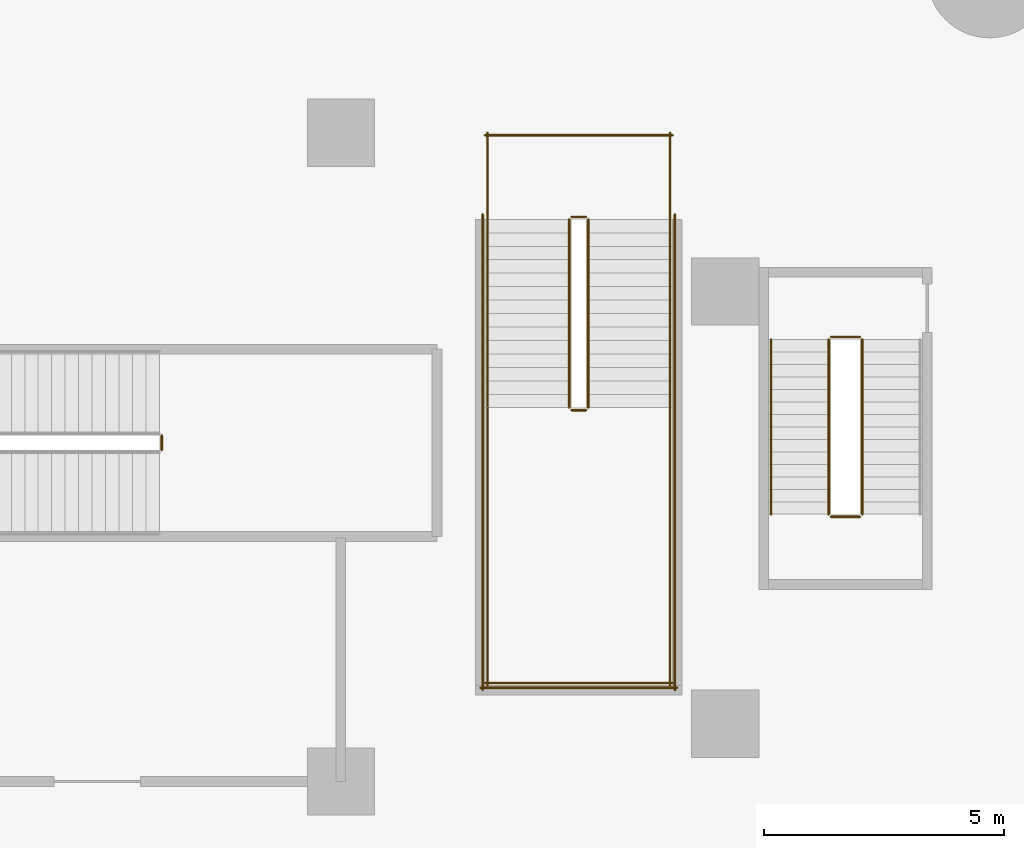
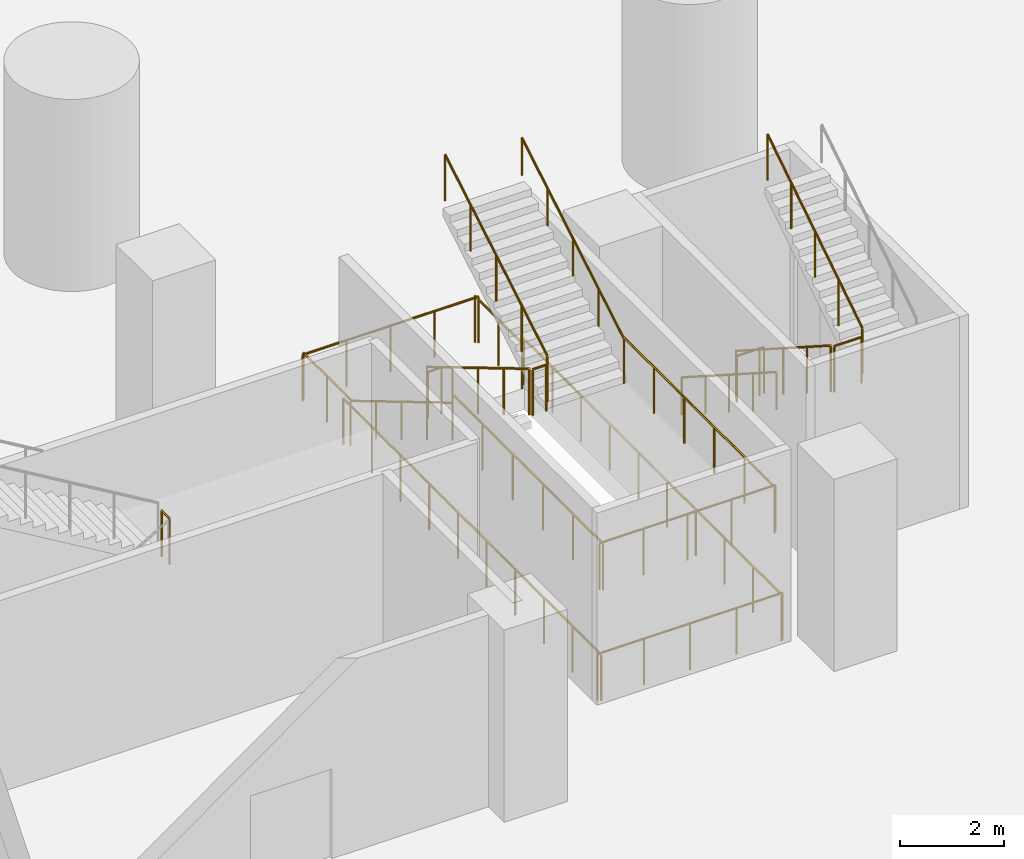
# One storey, part 35 of 44: 21 railings.
"""IFC4 building model written with IfcOpenShell, lengths in metres."""

from ifc_helpers import new_model, si_unit, direction, frame, origin, origin_2d, place, context, subcontext, project, spatial, circle, extrude, material, type_object, element, save


model = new_model("IFC4")

# Units and contexts
model_context = context("Model", 3, precision=1e-05, world=origin(), true_north=direction((0.0, 1.0)))
body_context = subcontext(model_context, "Body", "Model", "MODEL_VIEW")
ifc_project = project(units=[si_unit("LENGTHUNIT", "METRE"), si_unit("AREAUNIT", "SQUARE_METRE"), si_unit("VOLUMEUNIT", "CUBIC_METRE"), si_unit("PLANEANGLEUNIT", "RADIAN"), si_unit("MASSUNIT", "GRAM", prefix="KILO")], contexts=[model_context])

# Site, building, storey
site_placement = place(None, origin())
site = spatial("IfcSite", under=ifc_project, at=site_placement, CompositionType="ELEMENT")
building_placement = place(site_placement, origin())
building = spatial("IfcBuilding", under=site, at=building_placement, Name="Tamarind Cross Interchange Tower", CompositionType="ELEMENT")
storey_placement = place(building_placement, frame((0.0, 0.0, 15.0)))
storey = spatial("IfcBuildingStorey", under=building, at=storey_placement, Name="L02", CompositionType="ELEMENT", Elevation=15.0)

# Railings
ifc_material_1 = material(Name="Public stair guard")
railing_type_1 = type_object("IfcRailingType", Name="Public stair guard", PredefinedType="GUARDRAIL", material=ifc_material_1)
railing_1_placement = place(storey_placement, frame((-8.75, -28.800048828125, 0.166748046875)))
element("IfcRailing", 1, at=railing_1_placement, inside=storey, type_object=railing_type_1, Name="L02 PS-S stair guard 1", PredefinedType="GUARDRAIL", context=body_context, shape_type="SweptSolid", body=[
    extrude(circle(Radius=0.02392578125, at=origin_2d()), frame((0.0, 0.0, 1.076171875), z_axis=(0.0, -0.859296244711, 0.511478214419), x_axis=(1.0, 0.0, 0.0)), (0.0, 0.0, 1.0), 4.561767578125),
    extrude(circle(Radius=0.02099609375, at=origin_2d()), origin(), (0.0, 0.0, 1.0), 1.052001953125),
    extrude(circle(Radius=0.02099609375, at=origin_2d()), frame((0.0, -0.97998046875, 0.583251953125)), (0.0, 0.0, 1.0), 1.052001953125),
    extrude(circle(Radius=0.02099609375, at=origin_2d()), frame((0.0, -1.9599609375, 1.16650390625)), (0.0, 0.0, 1.0), 1.052001953125),
    extrude(circle(Radius=0.02099609375, at=origin_2d()), frame((0.0, -2.93994140625, 1.75)), (0.0, 0.0, 1.0), 1.052001953125),
    extrude(circle(Radius=0.02099609375, at=origin_2d()), frame((0.0, -3.919921875, 2.333251953125)), (0.0, 0.0, 1.0), 1.052001953125),
])
railing_2_placement = place(storey_placement, frame((-8.699951171875, -32.77001953125, 2.5)))
element("IfcRailing", 2, at=railing_2_placement, inside=storey, type_object=railing_type_1, Name="L02 PS-S stair guard 2", PredefinedType="GUARDRAIL", context=body_context, shape_type="SweptSolid", body=[
    extrude(circle(Radius=0.02392578125, at=origin_2d()), frame((0.0, 0.0, 1.076171875), z_axis=(1.0, 0.0, 0.0), x_axis=(0.0, 1.0, 0.0)), (0.0, 0.0, 1.0), 0.300048828125),
    extrude(circle(Radius=0.02099609375, at=origin_2d()), origin(), (0.0, 0.0, 1.0), 1.052001953125),
    extrude(circle(Radius=0.02099609375, at=origin_2d()), frame((0.300048828125, 0.0, 0.0)), (0.0, 0.0, 1.0), 1.052001953125),
])
for number, where, name in (
    (3, (-10.449951171875, -32.719970703125, 2.5), "L02 PS-S stair guard 3"),
    (4, (-6.64990234375, -32.719970703125, 2.5), "L02 PS-S stair guard 4"),
):
    element("IfcRailing", number, at=place(storey_placement, frame(where)), inside=storey, type_object=railing_type_1, Name=name, PredefinedType="GUARDRAIL", context=body_context, shape_type="SweptSolid", body=[
        extrude(circle(Radius=0.02392578125, at=origin_2d()), frame((0.0, 0.0, 1.076171875), z_axis=(0.0, -1.0, 0.0), x_axis=(1.0, 0.0, 0.0)), (0.0, 0.0, 1.0), 5.780029296875),
        extrude(circle(Radius=0.02099609375, at=origin_2d()), origin(), (0.0, 0.0, 1.0), 1.052001953125),
        extrude(circle(Radius=0.02099609375, at=origin_2d()), frame((0.0, -1.156005859375, 0.0)), (0.0, 0.0, 1.0), 1.052001953125),
        extrude(circle(Radius=0.02099609375, at=origin_2d()), frame((0.0, -2.31201171875, 0.0)), (0.0, 0.0, 1.0), 1.052001953125),
        extrude(circle(Radius=0.02099609375, at=origin_2d()), frame((0.0, -3.468017578125, 0.0)), (0.0, 0.0, 1.0), 1.052001953125),
        extrude(circle(Radius=0.02099609375, at=origin_2d()), frame((0.0, -4.6240234375, 0.0)), (0.0, 0.0, 1.0), 1.052001953125),
        extrude(circle(Radius=0.02099609375, at=origin_2d()), frame((0.0, -5.780029296875, 0.0)), (0.0, 0.0, 1.0), 1.052001953125),
    ])
railing_3_placement = place(storey_placement, frame((-10.5, -38.449951171875, 2.5)))
element("IfcRailing", 5, at=railing_3_placement, inside=storey, type_object=railing_type_1, Name="L02 PS-S stair guard 5", PredefinedType="GUARDRAIL", context=body_context, shape_type="SweptSolid", body=[
    extrude(circle(Radius=0.02392578125, at=origin_2d()), frame((0.0, 0.0, 1.076171875), z_axis=(1.0, 0.0, 0.0), x_axis=(0.0, 1.0, 0.0)), (0.0, 0.0, 1.0), 3.89990234375),
    extrude(circle(Radius=0.02099609375, at=origin_2d()), origin(), (0.0, 0.0, 1.0), 1.052001953125),
    extrude(circle(Radius=0.02099609375, at=origin_2d()), frame((0.97509765625, 0.0, 0.0)), (0.0, 0.0, 1.0), 1.052001953125),
    extrude(circle(Radius=0.02099609375, at=origin_2d()), frame((1.949951171875, 0.0, 0.0)), (0.0, 0.0, 1.0), 1.052001953125),
    extrude(circle(Radius=0.02099609375, at=origin_2d()), frame((2.9248046875, 0.0, 0.0)), (0.0, 0.0, 1.0), 1.052001953125),
    extrude(circle(Radius=0.02099609375, at=origin_2d()), frame((3.89990234375, 0.0, 0.0)), (0.0, 0.0, 1.0), 1.052001953125),
])
railing_4_placement = place(storey_placement, frame((-8.35009765625, -32.719970703125, 2.666748046875)))
element("IfcRailing", 6, at=railing_4_placement, inside=storey, type_object=railing_type_1, Name="L02 PS-S stair guard 6", PredefinedType="GUARDRAIL", context=body_context, shape_type="SweptSolid", body=[
    extrude(circle(Radius=0.02392578125, at=origin_2d()), frame((0.0, 0.0, 1.076171875), z_axis=(0.0, 0.859296244711, 0.511478214419), x_axis=(-1.0, 0.0, 0.0)), (0.0, 0.0, 1.0), 4.561767578125),
    extrude(circle(Radius=0.02099609375, at=origin_2d()), origin(), (0.0, 0.0, 1.0), 1.052001953125),
    extrude(circle(Radius=0.02099609375, at=origin_2d()), frame((0.0, 0.97998046875, 0.583251953125)), (0.0, 0.0, 1.0), 1.052001953125),
    extrude(circle(Radius=0.02099609375, at=origin_2d()), frame((0.0, 1.9599609375, 1.16650390625)), (0.0, 0.0, 1.0), 1.052001953125),
    extrude(circle(Radius=0.02099609375, at=origin_2d()), frame((0.0, 2.93994140625, 1.75)), (0.0, 0.0, 1.0), 1.052001953125),
    extrude(circle(Radius=0.02099609375, at=origin_2d()), frame((0.0, 3.919921875, 2.333251953125)), (0.0, 0.0, 1.0), 1.052001953125),
])
railing_5_placement = place(storey_placement, frame((-8.699951171875, -28.75, 0.0)))
element("IfcRailing", 7, at=railing_5_placement, inside=storey, type_object=railing_type_1, Name="L02 PS-S stair guard 7", PredefinedType="GUARDRAIL", context=body_context, shape_type="SweptSolid", body=[
    extrude(circle(Radius=0.02392578125, at=origin_2d()), frame((0.0, 0.0, 1.076171875), z_axis=(1.0, 0.0, 0.0), x_axis=(0.0, 1.0, 0.0)), (0.0, 0.0, 1.0), 0.300048828125),
    extrude(circle(Radius=0.02099609375, at=origin_2d()), origin(), (0.0, 0.0, 1.0), 1.052001953125),
    extrude(circle(Radius=0.02099609375, at=origin_2d()), frame((0.300048828125, 0.0, 0.0)), (0.0, 0.0, 1.0), 1.052001953125),
])
for number, where, name in (
    (8, (-10.449951171875, -27.0, 0.0), "L02 PS-S stair guard 8"),
    (9, (-6.64990234375, -27.0, 0.0), "L02 PS-S stair guard 9"),
):
    element("IfcRailing", number, at=place(storey_placement, frame(where)), inside=storey, type_object=railing_type_1, Name=name, PredefinedType="GUARDRAIL", context=body_context, shape_type="SweptSolid", body=[
        extrude(circle(Radius=0.02392578125, at=origin_2d()), frame((0.0, 0.0, 1.076171875), z_axis=(0.0, -1.0, 0.0), x_axis=(1.0, 0.0, 0.0)), (0.0, 0.0, 1.0), 1.800048828125),
        extrude(circle(Radius=0.02099609375, at=origin_2d()), origin(), (0.0, 0.0, 1.0), 1.052001953125),
        extrude(circle(Radius=0.02099609375, at=origin_2d()), frame((0.0, -0.89990234375, 0.0)), (0.0, 0.0, 1.0), 1.052001953125),
        extrude(circle(Radius=0.02099609375, at=origin_2d()), frame((0.0, -1.800048828125, 0.0)), (0.0, 0.0, 1.0), 1.052001953125),
    ])
railing_6_placement = place(storey_placement, frame((-10.5, -27.050048828125, 0.0)))
element("IfcRailing", 10, at=railing_6_placement, inside=storey, type_object=railing_type_1, Name="L02 PS-S stair guard 10", PredefinedType="GUARDRAIL", context=body_context, shape_type="SweptSolid", body=[
    extrude(circle(Radius=0.02392578125, at=origin_2d()), frame((0.0, 0.0, 1.076171875), z_axis=(1.0, 0.0, 0.0), x_axis=(0.0, 1.0, 0.0)), (0.0, 0.0, 1.0), 3.89990234375),
    extrude(circle(Radius=0.02099609375, at=origin_2d()), origin(), (0.0, 0.0, 1.0), 1.052001953125),
    extrude(circle(Radius=0.02099609375, at=origin_2d()), frame((0.97509765625, 0.0, 0.0)), (0.0, 0.0, 1.0), 1.052001953125),
    extrude(circle(Radius=0.02099609375, at=origin_2d()), frame((1.949951171875, 0.0, 0.0)), (0.0, 0.0, 1.0), 1.052001953125),
    extrude(circle(Radius=0.02099609375, at=origin_2d()), frame((2.9248046875, 0.0, 0.0)), (0.0, 0.0, 1.0), 1.052001953125),
    extrude(circle(Radius=0.02099609375, at=origin_2d()), frame((3.89990234375, 0.0, 0.0)), (0.0, 0.0, 1.0), 1.052001953125),
])
for number, where, name in (
    (11, (-10.550048828125, -28.699951171875, 0.0), "L02 PS-S stair guard 11"),
    (12, (-6.550048828125, -28.699951171875, 0.0), "L02 PS-S stair guard 12"),
):
    element("IfcRailing", number, at=place(storey_placement, frame(where)), inside=storey, type_object=railing_type_1, Name=name, PredefinedType="GUARDRAIL", context=body_context, shape_type="SweptSolid", body=[
        extrude(circle(Radius=0.02392578125, at=origin_2d()), frame((0.0, 0.0, 1.076171875), z_axis=(0.0, -1.0, 0.0), x_axis=(1.0, 0.0, 0.0)), (0.0, 0.0, 1.0), 9.900146484375),
        extrude(circle(Radius=0.02099609375, at=origin_2d()), origin(), (0.0, 0.0, 1.0), 1.052001953125),
        extrude(circle(Radius=0.02099609375, at=origin_2d()), frame((0.0, -1.10009765625, 0.0)), (0.0, 0.0, 1.0), 1.052001953125),
        extrude(circle(Radius=0.02099609375, at=origin_2d()), frame((0.0, -2.199951171875, 0.0)), (0.0, 0.0, 1.0), 1.052001953125),
        extrude(circle(Radius=0.02099609375, at=origin_2d()), frame((0.0, -3.300048828125, 0.0)), (0.0, 0.0, 1.0), 1.052001953125),
        extrude(circle(Radius=0.02099609375, at=origin_2d()), frame((0.0, -4.400146484375, 0.0)), (0.0, 0.0, 1.0), 1.052001953125),
        extrude(circle(Radius=0.02099609375, at=origin_2d()), frame((0.0, -5.5, 0.0)), (0.0, 0.0, 1.0), 1.052001953125),
        extrude(circle(Radius=0.02099609375, at=origin_2d()), frame((0.0, -6.60009765625, 0.0)), (0.0, 0.0, 1.0), 1.052001953125),
        extrude(circle(Radius=0.02099609375, at=origin_2d()), frame((0.0, -7.7001953125, 0.0)), (0.0, 0.0, 1.0), 1.052001953125),
        extrude(circle(Radius=0.02099609375, at=origin_2d()), frame((0.0, -8.800048828125, 0.0)), (0.0, 0.0, 1.0), 1.052001953125),
        extrude(circle(Radius=0.02099609375, at=origin_2d()), frame((0.0, -9.900146484375, 0.0)), (0.0, 0.0, 1.0), 1.052001953125),
    ])
railing_7_placement = place(storey_placement, frame((-10.60009765625, -38.550048828125, 0.0)))
element("IfcRailing", 13, at=railing_7_placement, inside=storey, type_object=railing_type_1, Name="L02 PS-S stair guard 13", PredefinedType="GUARDRAIL", context=body_context, shape_type="SweptSolid", body=[
    extrude(circle(Radius=0.02392578125, at=origin_2d()), frame((0.0, 0.0, 1.076171875), z_axis=(1.0, 0.0, 0.0), x_axis=(0.0, 1.0, 0.0)), (0.0, 0.0, 1.0), 4.10009765625),
    extrude(circle(Radius=0.02099609375, at=origin_2d()), origin(), (0.0, 0.0, 1.0), 1.052001953125),
    extrude(circle(Radius=0.02099609375, at=origin_2d()), frame((1.02490234375, 0.0, 0.0)), (0.0, 0.0, 1.0), 1.052001953125),
    extrude(circle(Radius=0.02099609375, at=origin_2d()), frame((2.050048828125, 0.0, 0.0)), (0.0, 0.0, 1.0), 1.052001953125),
    extrude(circle(Radius=0.02099609375, at=origin_2d()), frame((3.0751953125, 0.0, 0.0)), (0.0, 0.0, 1.0), 1.052001953125),
    extrude(circle(Radius=0.02099609375, at=origin_2d()), frame((4.10009765625, 0.0, 0.0)), (0.0, 0.0, 1.0), 1.052001953125),
])
railing_8_placement = place(storey_placement, frame((-17.22998046875, -33.60009765625, 2.5)))
element("IfcRailing", 14, at=railing_8_placement, inside=storey, type_object=railing_type_1, Name="L02 XS-P09 stair guard 2", PredefinedType="GUARDRAIL", context=body_context, shape_type="SweptSolid", body=[
    extrude(circle(Radius=0.02392578125, at=origin_2d()), frame((0.0, 0.0, 1.076171875), z_axis=(0.0, 1.0, 0.0), x_axis=(-1.0, 0.0, 0.0)), (0.0, 0.0, 1.0), 0.300048828125),
    extrude(circle(Radius=0.02099609375, at=origin_2d()), origin(), (0.0, 0.0, 1.0), 1.052001953125),
    extrude(circle(Radius=0.02099609375, at=origin_2d()), frame((0.0, 0.300048828125, 0.0)), (0.0, 0.0, 1.0), 1.052001953125),
])
ifc_material_2 = material(Name="Public stair handrail")
railing_type_2 = type_object("IfcRailingType", Name="Public stair handrail", PredefinedType="HANDRAIL", material=ifc_material_2)
railing_9_placement = place(storey_placement, frame((-10.449951171875, -28.800048828125, 0.166748046875)))
element("IfcRailing", 15, at=railing_9_placement, inside=storey, type_object=railing_type_2, Name="L02 PS-S stair handrail 1", PredefinedType="HANDRAIL", context=body_context, shape_type="SweptSolid", body=[
    extrude(circle(Radius=0.02392578125, at=origin_2d()), frame((0.0, 0.0, 0.8759765625), z_axis=(0.0, -0.859296244711, 0.511478214419), x_axis=(1.0, 0.0, 0.0)), (0.0, 0.0, 1.0), 4.561767578125),
    extrude(circle(Radius=0.02099609375, at=origin_2d()), origin(), (0.0, 0.0, 1.0), 0.851806640625),
    extrude(circle(Radius=0.02099609375, at=origin_2d()), frame((0.0, -0.97998046875, 0.583251953125)), (0.0, 0.0, 1.0), 0.851806640625),
    extrude(circle(Radius=0.02099609375, at=origin_2d()), frame((0.0, -1.9599609375, 1.16650390625)), (0.0, 0.0, 1.0), 0.851806640625),
    extrude(circle(Radius=0.02099609375, at=origin_2d()), frame((0.0, -2.93994140625, 1.75)), (0.0, 0.0, 1.0), 0.851806640625),
    extrude(circle(Radius=0.02099609375, at=origin_2d()), frame((0.0, -3.919921875, 2.333251953125)), (0.0, 0.0, 1.0), 0.851806640625),
])
railing_10_placement = place(storey_placement, frame((-6.64990234375, -32.719970703125, 2.666748046875)))
element("IfcRailing", 16, at=railing_10_placement, inside=storey, type_object=railing_type_2, Name="L02 PS-S stair handrail 2", PredefinedType="HANDRAIL", context=body_context, shape_type="SweptSolid", body=[
    extrude(circle(Radius=0.02392578125, at=origin_2d()), frame((0.0, 0.0, 0.8759765625), z_axis=(0.0, 0.859296244711, 0.511478214419), x_axis=(-1.0, 0.0, 0.0)), (0.0, 0.0, 1.0), 4.561767578125),
    extrude(circle(Radius=0.02099609375, at=origin_2d()), origin(), (0.0, 0.0, 1.0), 0.851806640625),
    extrude(circle(Radius=0.02099609375, at=origin_2d()), frame((0.0, 0.97998046875, 0.583251953125)), (0.0, 0.0, 1.0), 0.851806640625),
    extrude(circle(Radius=0.02099609375, at=origin_2d()), frame((0.0, 1.9599609375, 1.16650390625)), (0.0, 0.0, 1.0), 0.851806640625),
    extrude(circle(Radius=0.02099609375, at=origin_2d()), frame((0.0, 2.93994140625, 1.75)), (0.0, 0.0, 1.0), 0.851806640625),
    extrude(circle(Radius=0.02099609375, at=origin_2d()), frame((0.0, 3.919921875, 2.333251953125)), (0.0, 0.0, 1.0), 0.851806640625),
])
ifc_material_3 = material(Name="Stair guard")
railing_type_3 = type_object("IfcRailingType", Name="Stair guard", PredefinedType="GUARDRAIL", material=ifc_material_3)
railing_11_placement = place(storey_placement, frame((-3.35009765625, -31.300048828125, 0.166748046875)))
element("IfcRailing", 17, at=railing_11_placement, inside=storey, type_object=railing_type_3, Name="L02 ST6 stair guard 1", PredefinedType="GUARDRAIL", context=body_context, shape_type="SweptSolid", body=[
    extrude(circle(Radius=0.02392578125, at=origin_2d()), frame((0.0, 0.0, 1.076171875), z_axis=(0.0, -0.841880454617, 0.539664062296), x_axis=(1.0, 0.0, 0.0)), (0.0, 0.0, 1.0), 4.323486328125),
    extrude(circle(Radius=0.02099609375, at=origin_2d()), origin(), (0.0, 0.0, 1.0), 1.052001953125),
    extrude(circle(Radius=0.02099609375, at=origin_2d()), frame((0.0, -0.909912109375, 0.583251953125)), (0.0, 0.0, 1.0), 1.052001953125),
    extrude(circle(Radius=0.02099609375, at=origin_2d()), frame((0.0, -1.81982421875, 1.16650390625)), (0.0, 0.0, 1.0), 1.052001953125),
    extrude(circle(Radius=0.02099609375, at=origin_2d()), frame((0.0, -2.72998046875, 1.75)), (0.0, 0.0, 1.0), 1.052001953125),
    extrude(circle(Radius=0.02099609375, at=origin_2d()), frame((0.0, -3.639892578125, 2.333251953125)), (0.0, 0.0, 1.0), 1.052001953125),
])
railing_12_placement = place(storey_placement, frame((-3.300048828125, -34.989990234375, 2.5)))
element("IfcRailing", 18, at=railing_12_placement, inside=storey, type_object=railing_type_3, Name="L02 ST6 stair guard 2", PredefinedType="GUARDRAIL", context=body_context, shape_type="SweptSolid", body=[
    extrude(circle(Radius=0.02392578125, at=origin_2d()), frame((0.0, 0.0, 1.076171875), z_axis=(1.0, 0.0, 0.0), x_axis=(0.0, 1.0, 0.0)), (0.0, 0.0, 1.0), 0.60009765625),
    extrude(circle(Radius=0.02099609375, at=origin_2d()), origin(), (0.0, 0.0, 1.0), 1.052001953125),
    extrude(circle(Radius=0.02099609375, at=origin_2d()), frame((0.60009765625, 0.0, 0.0)), (0.0, 0.0, 1.0), 1.052001953125),
])
railing_13_placement = place(storey_placement, frame((-2.64990234375, -34.93994140625, 2.666748046875)))
element("IfcRailing", 19, at=railing_13_placement, inside=storey, type_object=railing_type_3, Name="L02 ST6 stair guard 3", PredefinedType="GUARDRAIL", context=body_context, shape_type="SweptSolid", body=[
    extrude(circle(Radius=0.02392578125, at=origin_2d()), frame((0.0, 0.0, 1.076171875), z_axis=(0.0, 0.841880454617, 0.539664062296), x_axis=(-1.0, 0.0, 0.0)), (0.0, 0.0, 1.0), 4.323486328125),
    extrude(circle(Radius=0.02099609375, at=origin_2d()), origin(), (0.0, 0.0, 1.0), 1.052001953125),
    extrude(circle(Radius=0.02099609375, at=origin_2d()), frame((0.0, 0.909912109375, 0.583251953125)), (0.0, 0.0, 1.0), 1.052001953125),
    extrude(circle(Radius=0.02099609375, at=origin_2d()), frame((0.0, 1.81982421875, 1.16650390625)), (0.0, 0.0, 1.0), 1.052001953125),
    extrude(circle(Radius=0.02099609375, at=origin_2d()), frame((0.0, 2.72998046875, 1.75)), (0.0, 0.0, 1.0), 1.052001953125),
    extrude(circle(Radius=0.02099609375, at=origin_2d()), frame((0.0, 3.639892578125, 2.333251953125)), (0.0, 0.0, 1.0), 1.052001953125),
])
railing_14_placement = place(storey_placement, frame((-3.300048828125, -31.25, 0.0)))
element("IfcRailing", 20, at=railing_14_placement, inside=storey, type_object=railing_type_3, Name="L02 ST6 stair guard 4", PredefinedType="GUARDRAIL", context=body_context, shape_type="SweptSolid", body=[
    extrude(circle(Radius=0.02392578125, at=origin_2d()), frame((0.0, 0.0, 1.076171875), z_axis=(1.0, 0.0, 0.0), x_axis=(0.0, 1.0, 0.0)), (0.0, 0.0, 1.0), 0.60009765625),
    extrude(circle(Radius=0.02099609375, at=origin_2d()), origin(), (0.0, 0.0, 1.0), 1.052001953125),
    extrude(circle(Radius=0.02099609375, at=origin_2d()), frame((0.60009765625, 0.0, 0.0)), (0.0, 0.0, 1.0), 1.052001953125),
])
ifc_material_4 = material(Name="Stair handrail")
railing_type_4 = type_object("IfcRailingType", Name="Stair handrail", PredefinedType="HANDRAIL", material=ifc_material_4)
railing_15_placement = place(storey_placement, frame((-4.550048828125, -31.300048828125, 0.166748046875)))
element("IfcRailing", 21, at=railing_15_placement, inside=storey, type_object=railing_type_4, Name="L02 ST6 stair handrail 1", PredefinedType="HANDRAIL", context=body_context, shape_type="SweptSolid", body=[
    extrude(circle(Radius=0.02392578125, at=origin_2d()), frame((0.0, 0.0, 0.8759765625), z_axis=(0.0, -0.841880454617, 0.539664062296), x_axis=(1.0, 0.0, 0.0)), (0.0, 0.0, 1.0), 4.323486328125),
    extrude(circle(Radius=0.02099609375, at=origin_2d()), origin(), (0.0, 0.0, 1.0), 0.851806640625),
    extrude(circle(Radius=0.02099609375, at=origin_2d()), frame((0.0, -0.909912109375, 0.583251953125)), (0.0, 0.0, 1.0), 0.851806640625),
    extrude(circle(Radius=0.02099609375, at=origin_2d()), frame((0.0, -1.81982421875, 1.16650390625)), (0.0, 0.0, 1.0), 0.851806640625),
    extrude(circle(Radius=0.02099609375, at=origin_2d()), frame((0.0, -2.72998046875, 1.75)), (0.0, 0.0, 1.0), 0.851806640625),
    extrude(circle(Radius=0.02099609375, at=origin_2d()), frame((0.0, -3.639892578125, 2.333251953125)), (0.0, 0.0, 1.0), 0.851806640625),
])

save(model, "model.ifc")
